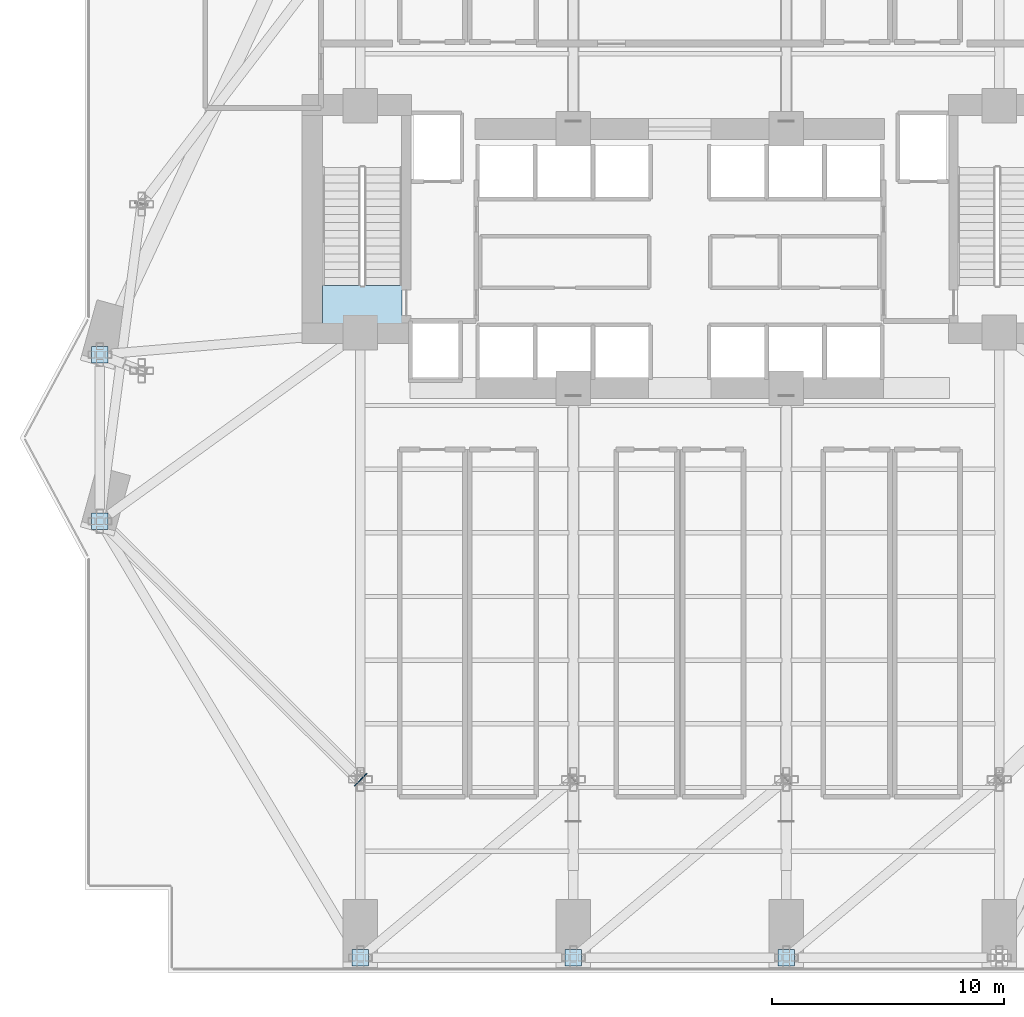
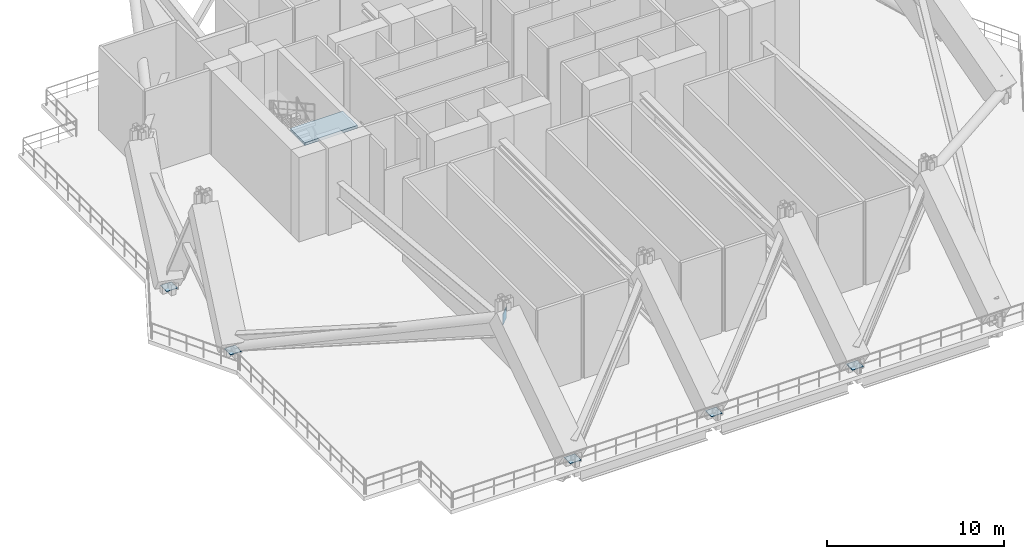
# One storey, part 7 of 21: 6 plates, 1 slab, 1 element without a shape of its own.
"""IFC4 building model written with IfcOpenShell, lengths in metres."""

import ifcopenshell
import ifcopenshell.guid

model = None  # the IFC model being written
_history = None  # IfcOwnerHistory: only IFC2X3 demands one
_inside = {}  # id of a spatial element -> (the spatial element, [elements in it])
_under = {}  # id of a project, library or spatial element -> (it, [spatial elements below it])
_declared = {}  # id of a project -> (the project, [libraries it declares])
_typed = {}  # id of a type object -> (the type object, [elements of that type])
_made_of = {}  # id of a material, layer set ... -> (it, [elements and type objects made of it])


def new_model(schema):
    """Start an empty IFC model of exactly this schema.

    Asked for "IFC4X3", IfcOpenShell would pick the latest addendum, in which some entities
    have other attributes; the version numbers below select the first issue.
    IFC2X3 requires an IfcOwnerHistory on every rooted entity: one is made here for all.
    """
    global model, _history
    if schema == "IFC4X3":
        model = ifcopenshell.file(schema_version=(4, 3, 0, 0))
    else:
        model = ifcopenshell.file(schema=schema)
    _inside.clear()
    _under.clear()
    _declared.clear()
    _typed.clear()
    _made_of.clear()
    _history = None
    if model.schema == "IFC2X3":
        org = make("IfcOrganization", Name="unknown")
        user = make(
            "IfcPersonAndOrganization",
            ThePerson=make("IfcPerson", FamilyName="unknown"),
            TheOrganization=org,
        )
        app = make(
            "IfcApplication",
            ApplicationDeveloper=org,
            Version="unknown",
            ApplicationFullName="unknown",
            ApplicationIdentifier="unknown",
        )
        _history = make(
            "IfcOwnerHistory",
            OwningUser=user,
            OwningApplication=app,
            ChangeAction="ADDED",
            CreationDate=0,
        )
    return model


def make(cls, **values):
    """One entity of the class cls with the attributes given. An attribute that is None is left unset."""
    return model.create_entity(
        cls, **{name: value for name, value in values.items() if value is not None}
    )


def rooted(cls, **values):
    """An entity with a GlobalId (a new one), such as an element, a storey or a relation."""
    return make(cls, GlobalId=ifcopenshell.guid.new(), OwnerHistory=_history, **values)


def si_unit(unit_type, name, prefix=None):
    """IfcSIUnit, for example si_unit("LENGTHUNIT", "METRE", prefix="MILLI")."""
    return make("IfcSIUnit", UnitType=unit_type, Prefix=prefix, Name=name)


def assignment(units):
    """IfcUnitAssignment: the units of a project."""
    return None if units is None else make("IfcUnitAssignment", Units=units)


def point(xyz):
    """IfcCartesianPoint."""
    return None if xyz is None else make("IfcCartesianPoint", Coordinates=xyz)


def direction(xyz):
    """IfcDirection."""
    return None if xyz is None else make("IfcDirection", DirectionRatios=xyz)


def frame(location, z_axis=None, x_axis=None):
    """IfcAxis2Placement3D, a coordinate frame: its origin and axes. An axis left out is left unset."""
    return make(
        "IfcAxis2Placement3D",
        Location=point(location),
        Axis=direction(z_axis),
        RefDirection=direction(x_axis),
    )


def frame_2d(location, x_axis=None):
    """IfcAxis2Placement2D, a coordinate frame in the plane: its origin and x axis."""
    return make(
        "IfcAxis2Placement2D", Location=point(location), RefDirection=direction(x_axis)
    )


def origin():
    """The frame at (0, 0, 0) with its axes left unset."""
    return frame((0.0, 0.0, 0.0))


def origin_2d():
    """The frame at (0, 0) in the plane with its x axis left unset."""
    return frame_2d((0.0, 0.0))


def place(relative_to, where):
    """IfcLocalPlacement: puts the frame where relative to a parent placement (None: the world)."""
    return make(
        "IfcLocalPlacement", PlacementRelTo=relative_to, RelativePlacement=where
    )


def context(
    kind, dimensions, precision=None, world=None, true_north=None, identifier=None
):
    """IfcGeometricRepresentationContext, for example the 3D "Model" context."""
    return make(
        "IfcGeometricRepresentationContext",
        ContextIdentifier=identifier,
        ContextType=kind,
        CoordinateSpaceDimension=dimensions,
        Precision=precision,
        WorldCoordinateSystem=world,
        TrueNorth=true_north,
    )


def subcontext(parent, identifier, kind, view, scale=None):
    """IfcGeometricRepresentationSubContext, for example "Body" below "Model"."""
    return make(
        "IfcGeometricRepresentationSubContext",
        ContextIdentifier=identifier,
        ContextType=kind,
        ParentContext=parent,
        TargetScale=scale,
        TargetView=view,
    )


def project(units=None, contexts=None):
    """IfcProject with its units and contexts."""
    return rooted(
        "IfcProject",
        Name="project",
        RepresentationContexts=contexts,
        UnitsInContext=assignment(units),
    )


def spatial(cls, under=None, at=None, **own):
    """A site, building, storey or space (cls), placed at a placement, below another one or the project."""
    s = rooted(cls, ObjectPlacement=at, **own)
    if under is not None:
        _under.setdefault(under.id(), (under, []))[1].append(s)
    return s


def polyline(points):
    """IfcPolyline through the points."""
    return make("IfcPolyline", Points=[point(p) for p in points])


def profile(cls, at=None, kind="AREA", **sizes):
    """A parametric profile (cls). Its sizes go by their IFC names, for example OverallWidth=200.0."""
    return make(cls, ProfileType=kind, Position=at, **sizes)


def rectangle(**sizes):
    """IfcRectangleProfileDef."""
    return profile("IfcRectangleProfileDef", **sizes)


def outline(outer, holes=None, kind="AREA"):
    """IfcArbitraryClosedProfileDef: a profile drawn as a closed curve; with holes, ...WithVoids."""
    if holes is None:
        return make("IfcArbitraryClosedProfileDef", ProfileType=kind, OuterCurve=outer)
    return make(
        "IfcArbitraryProfileDefWithVoids",
        ProfileType=kind,
        OuterCurve=outer,
        InnerCurves=holes,
    )


def extrude(swept, where, along, depth):
    """IfcExtrudedAreaSolid: the profile swept, set in the frame where, extruded along a direction by depth."""
    return make(
        "IfcExtrudedAreaSolid",
        SweptArea=swept,
        Position=where,
        ExtrudedDirection=direction(along),
        Depth=depth,
    )


def shape(context_of_items, identifier, shape_type, items):
    """IfcShapeRepresentation: the items that make up one representation, for example the "Body"."""
    return make(
        "IfcShapeRepresentation",
        ContextOfItems=context_of_items,
        RepresentationIdentifier=identifier,
        RepresentationType=shape_type,
        Items=items,
    )


def material(Name=None, Category=None):
    """IfcMaterial."""
    return make("IfcMaterial", Name=Name, Category=Category)


def layer(
    of_material, thickness, ventilated=None, Name=None, Category=None, Priority=None
):
    """IfcMaterialLayer: one layer of a wall or slab, of a material (None: an air gap)."""
    return make(
        "IfcMaterialLayer",
        Material=of_material,
        LayerThickness=thickness,
        IsVentilated=ventilated,
        Name=Name,
        Category=Category,
        Priority=Priority,
    )


def layer_set(layers, Name=None):
    """IfcMaterialLayerSet."""
    return make("IfcMaterialLayerSet", MaterialLayers=layers, LayerSetName=Name)


def made_of(thing, what):
    """Note that an element or type object is made of a material, layer set ...; save() writes the relation."""
    if what is not None:
        _made_of.setdefault(what.id(), (what, []))[1].append(thing)
    return thing


def type_object(cls, material=None, **own):
    """A type object (cls), such as IfcWallType, which elements share."""
    return made_of(rooted(cls, **own), material)


def element(
    cls,
    number,
    at=None,
    inside=None,
    cuts=None,
    type_object=None,
    material=None,
    context=None,
    identifier="Body",
    shape_type=None,
    held_by="IfcProductDefinitionShape",
    body=None,
    shapes=None,
    **own,
):
    """One element of the class cls, such as IfcWall. Its Tag is "e" and its number.

    at: its placement. inside: the storey or other place that contains it. cuts: it is an
    opening in that element (IfcRelVoidsElement). A single representation is given by context,
    identifier, shape_type and body (its items); several are given by shapes. held_by: the class
    of the entity that holds the representations. save() writes the other relations.
    """
    e = rooted(cls, Tag="e%d" % number, ObjectPlacement=at, **own)
    if body is not None:
        shapes = [shape(context, identifier, shape_type, body)]
    if shapes is not None:
        e.Representation = make(held_by, Representations=shapes)
    if inside is not None:
        _inside.setdefault(inside.id(), (inside, []))[1].append(e)
    if cuts is not None:
        rooted(
            "IfcRelVoidsElement", RelatingBuildingElement=cuts, RelatedOpeningElement=e
        )
    if type_object is not None:
        _typed.setdefault(type_object.id(), (type_object, []))[1].append(e)
    return made_of(e, material)


def aggregate(whole, parts):
    """IfcRelAggregates: a whole, such as a stair, and the parts it consists of."""
    return rooted("IfcRelAggregates", RelatingObject=whole, RelatedObjects=parts)


def save(model, path):
    """Write the relations noted so far, then the file.

    IfcRelAggregates (storeys below a building ...), IfcRelContainedInSpatialStructure (elements
    in a storey), IfcRelDefinesByType, IfcRelAssociatesMaterial and IfcRelDeclares: one each for
    every whole, place, type object, material and project.
    """
    for whole, parts in _under.values():
        aggregate(whole, parts)
    for where, things in _inside.values():
        rooted(
            "IfcRelContainedInSpatialStructure",
            RelatedElements=things,
            RelatingStructure=where,
        )
    for kind, things in _typed.values():
        rooted("IfcRelDefinesByType", RelatedObjects=things, RelatingType=kind)
    for what, things in _made_of.values():
        rooted("IfcRelAssociatesMaterial", RelatedObjects=things, RelatingMaterial=what)
    for by, libraries in _declared.values():
        rooted("IfcRelDeclares", RelatingContext=by, RelatedDefinitions=libraries)
    model.write(path)


model = new_model("IFC4")

# Units and contexts
model_context = context("Model", 3, precision=1e-05, world=origin(), true_north=direction((0.0, 1.0)))
body_context = subcontext(model_context, "Body", "Model", "MODEL_VIEW")
ifc_project = project(units=[si_unit("LENGTHUNIT", "METRE"), si_unit("AREAUNIT", "SQUARE_METRE"), si_unit("VOLUMEUNIT", "CUBIC_METRE"), si_unit("PLANEANGLEUNIT", "RADIAN"), si_unit("MASSUNIT", "GRAM", prefix="KILO")], contexts=[model_context])

# Site, building, storey
site_placement = place(None, origin())
site = spatial("IfcSite", under=ifc_project, at=site_placement, CompositionType="ELEMENT")
building_placement = place(site_placement, origin())
building = spatial("IfcBuilding", under=site, at=building_placement, Name="Zuhayl Quay Hotel", CompositionType="ELEMENT")
storey_placement = place(building_placement, frame((0.0, 0.0, 89.64990234375)))
storey = spatial("IfcBuildingStorey", under=building, at=storey_placement, Name="L22", CompositionType="ELEMENT", Elevation=89.64990234375)

# Stair, slab
ifc_material_1 = material(Name="Concrete C45/55", Category="concrete")
stair_type = type_object("IfcStairType", Name="ST_DOGLEG_TOWER", PredefinedType="HALF_TURN_STAIR", material=ifc_material_1)
stair_placement = place(storey_placement, origin())
stair = element("IfcStair", 1, at=stair_placement, inside=storey, type_object=stair_type, Name="L22 Smokeproof Exit Stair ST1", PredefinedType="HALF_TURN_STAIR")
ifc_layer_1 = layer(ifc_material_1, 0.199951171875, Name="Concrete C45/55", Category="concrete")
ifc_layer_set_1 = layer_set([ifc_layer_1], Name="Concrete C45/55")
slab_type = type_object("IfcSlabType", Name="SL_STAIR_LANDING_200", PredefinedType="LANDING", material=ifc_layer_set_1)
slab_placement = place(storey_placement, frame((0.0, 0.0, 5.800048828125)))
slab = element("IfcSlab", 2, at=slab_placement, type_object=slab_type, Name="ST1 landing 2", PredefinedType="LANDING", context=body_context, shape_type="SweptSolid", body=[
    extrude(outline(polyline([(-12.0, 4.949951171875), (-12.0, 6.590087890625), (-15.429931640625, 6.590087890625), (-15.429931640625, 4.949951171875), (-12.0, 4.949951171875)])), origin(), (0.0, 0.0, 1.0), 0.199951171875),
])
aggregate(stair, [slab])

# Plates
ifc_material_2 = material(Name="Steel ASTM A572 Grade 50", Category="steel")
ifc_layer_2 = layer(ifc_material_2, 0.0400390625, Name="Steel ASTM A572 Grade 50", Category="steel")
ifc_layer_set_2 = layer_set([ifc_layer_2], Name="Steel ASTM A572 Grade 50")
plate_type = type_object("IfcPlateType", Name="TP_CAP_PLATE_40", PredefinedType="USERDEFINED", material=ifc_layer_set_2)
for number, where, z_axis, x_axis, name in (
    (3, (-13.800048828125, -22.449951171875, 0.24609375), (0.0, 0.0, 1.0), (1.0, 0.0, 0.0), "Truss Node Cap Assembly KN1"),
    (4, (-4.60009765625, -22.449951171875, 0.24609375), (0.0, 0.0, 1.0), (1.0, 0.0, 0.0), "Truss Node Cap Assembly KN1"),
    (5, (4.60009765625, -22.449951171875, 0.24609375), (0.0, 0.0, 1.0), (1.0, 0.0, 0.0), "Truss Node Cap Assembly KN1"),
    (6, (-25.050048828125, -3.60009765625, 0.24609375), (0.0, 0.0, 1.0), (1.0, 0.0, 0.0), "Truss Node Cap Assembly KN1"),
    (7, (-25.050048828125, 3.60009765625, 0.24609375), (0.0, 0.0, 1.0), (1.0, 0.0, 0.0), "Truss Node Cap Assembly KN1"),
):
    element("IfcPlate", number, at=place(storey_placement, frame(where, z_axis=z_axis, x_axis=x_axis)), inside=storey, type_object=plate_type, Name=name, ObjectType="GUSSET PLATE", PredefinedType="USERDEFINED", context=body_context, shape_type="SweptSolid", body=[
        extrude(rectangle(XDim=0.708984375, YDim=0.708984375, at=origin_2d()), origin(), (0.0, 0.0, 1.0), 0.0400390625),
    ])
plate_placement = place(storey_placement, frame((-13.7890625, -14.7607421875, 5.079833984375), z_axis=(0.0, 0.0, 1.0), x_axis=(0.710308238555, -0.703890763003, 0.0)))
element("IfcPlate", 8, at=plate_placement, inside=storey, type_object=plate_type, Name="Truss Node Cap Assembly KN1", ObjectType="GUSSET PLATE", PredefinedType="USERDEFINED", context=body_context, shape_type="SweptSolid", body=[
    extrude(rectangle(XDim=0.0400390625, YDim=0.75, at=origin_2d()), origin(), (0.0, 0.0, 1.0), 0.75),
])

save(model, "model.ifc")
